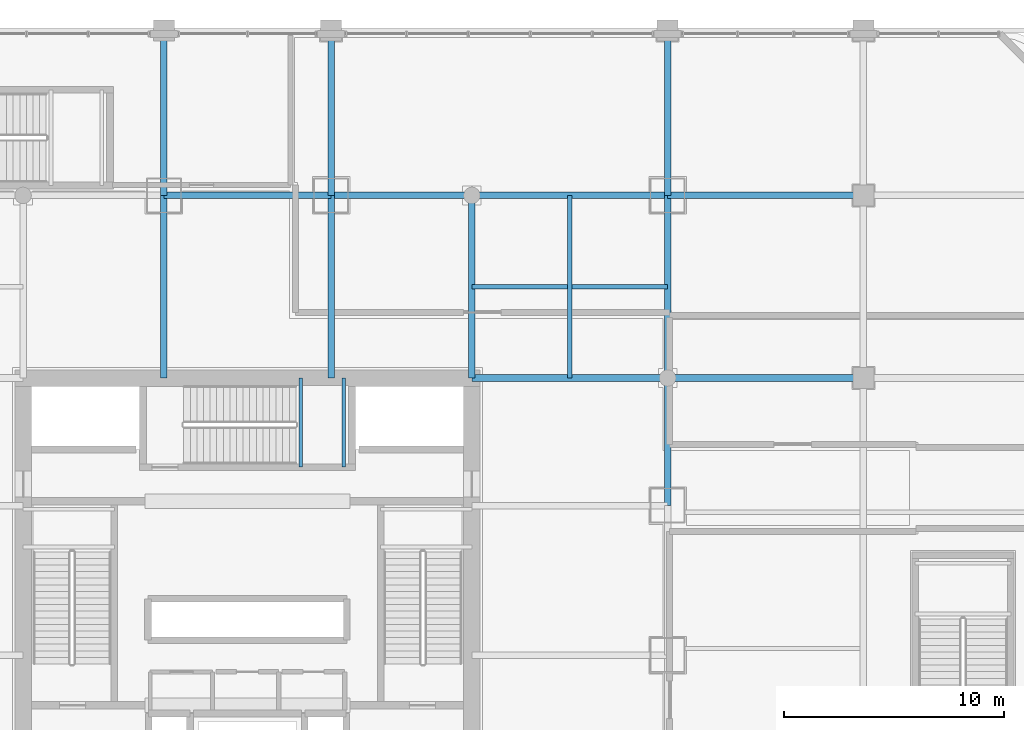
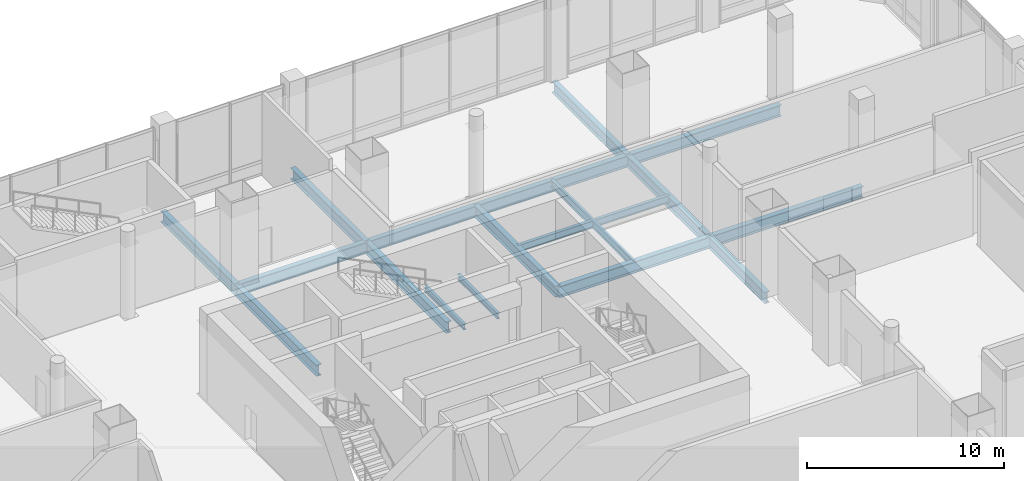
# One storey, part 15 of 39: 16 beams.
"""IFC4 building model written with IfcOpenShell, lengths in metres."""

from ifc_helpers import new_model, si_unit, direction, frame, origin, origin_2d, place, context, subcontext, project, spatial, i_section, extrude, material, material_profile, profile_set, type_object, element, save


model = new_model("IFC4")

# Units and contexts
model_context = context("Model", 3, precision=1e-05, world=origin(), true_north=direction((0.0, 1.0)))
body_context = subcontext(model_context, "Body", "Model", "MODEL_VIEW")
ifc_project = project(units=[si_unit("LENGTHUNIT", "METRE"), si_unit("AREAUNIT", "SQUARE_METRE"), si_unit("VOLUMEUNIT", "CUBIC_METRE"), si_unit("PLANEANGLEUNIT", "RADIAN"), si_unit("MASSUNIT", "GRAM", prefix="KILO")], contexts=[model_context])

# Site, building, storey
site_placement = place(None, origin())
site = spatial("IfcSite", under=ifc_project, at=site_placement, CompositionType="ELEMENT")
building_placement = place(site_placement, origin())
building = spatial("IfcBuilding", under=site, at=building_placement, Name="Punatoya Terracotta Tower", CompositionType="ELEMENT")
storey_placement = place(building_placement, frame((0.0, 0.0, 11.39990234375)))
storey = spatial("IfcBuildingStorey", under=building, at=storey_placement, Name="L02", CompositionType="ELEMENT", Elevation=11.39990234375)

# Beams
ifc_material = material(Name="Steel S355", Category="steel")
ifc_material_profile_1 = material_profile(ifc_material, i_section(OverallWidth=0.300048828125, OverallDepth=0.699951171875, WebThickness=0.01708984375, FlangeThickness=0.031982421875, FilletRadius=0.01806640625, at=origin_2d()))
ifc_profile_set_1 = profile_set([ifc_material_profile_1], Name="Steel S355")
beam_type_1 = type_object("IfcBeamType", Name="BM-PRI-700", PredefinedType="BEAM", material=ifc_profile_set_1)
beam_1_placement = place(storey_placement, frame((-3.800048828125, 17.5, -0.6298828125), z_axis=(1.0, 0.0, 0.0), x_axis=(0.0, 1.0, 0.0)))
element("IfcBeam", 1, at=beam_1_placement, inside=storey, type_object=beam_type_1, Name="BM-L02-RG-N2", PredefinedType="BEAM", context=body_context, shape_type="SweptSolid", body=[
    extrude(i_section(OverallWidth=0.300048828125, OverallDepth=0.699951171875, WebThickness=0.01708984375, FlangeThickness=0.031982421875, FilletRadius=0.01806640625, at=origin_2d()), origin(), (0.0, 0.0, 1.0), 7.60009765625),
])
beam_2_placement = place(storey_placement, frame((3.800048828125, 17.5, -0.6298828125), z_axis=(1.0, 0.0, 0.0), x_axis=(0.0, 1.0, 0.0)))
element("IfcBeam", 2, at=beam_2_placement, inside=storey, type_object=beam_type_1, Name="BM-L02-RG-N3", PredefinedType="BEAM", context=body_context, shape_type="SweptSolid", body=[
    extrude(i_section(OverallWidth=0.300048828125, OverallDepth=0.699951171875, WebThickness=0.01708984375, FlangeThickness=0.031982421875, FilletRadius=0.01806640625, at=origin_2d()), origin(), (0.0, 0.0, 1.0), 15.300048828125),
])
beam_3_placement = place(storey_placement, frame((19.10009765625, 3.39990234375, -0.6298828125), z_axis=(0.0, 1.0, 0.0), x_axis=(-1.0, 0.0, 0.0)))
element("IfcBeam", 3, at=beam_3_placement, inside=storey, type_object=beam_type_1, Name="BM-L02-RG-E3", PredefinedType="BEAM", context=body_context, shape_type="SweptSolid", body=[
    extrude(i_section(OverallWidth=0.300048828125, OverallDepth=0.699951171875, WebThickness=0.01708984375, FlangeThickness=0.031982421875, FilletRadius=0.01806640625, at=origin_2d()), origin(), (0.0, 0.0, 1.0), 14.10009765625),
])
beam_4_placement = place(storey_placement, frame((10.199951171875, 9.199951171875, -0.6298828125), z_axis=(1.0, 0.0, 0.0), x_axis=(0.0, 1.0, 0.0)))
element("IfcBeam", 4, at=beam_4_placement, inside=storey, type_object=beam_type_1, Name="BM-L02-PR-EN", PredefinedType="BEAM", context=body_context, shape_type="SweptSolid", body=[
    extrude(i_section(OverallWidth=0.300048828125, OverallDepth=0.699951171875, WebThickness=0.01708984375, FlangeThickness=0.031982421875, FilletRadius=0.01806640625, at=origin_2d()), origin(), (0.0, 0.0, 1.0), 8.900146484375),
])
for number, where, z_axis, x_axis, name in (
    (5, (-3.800048828125, 9.199951171875, -0.6298828125), (0.0, 1.0, 0.0), (-1.0, 0.0, 0.0), "BM-L02-PR-N2"),
    (6, (3.800048828125, 9.199951171875, -0.6298828125), (0.0, 1.0, 0.0), (-1.0, 0.0, 0.0), "BM-L02-PR-N3"),
    (7, (10.199951171875, 9.199951171875, -0.6298828125), (0.0, 1.0, 0.0), (-1.0, 0.0, 0.0), "BM-L02-PR-N4"),
):
    element("IfcBeam", number, at=place(storey_placement, frame(where, z_axis=z_axis, x_axis=x_axis)), inside=storey, type_object=beam_type_1, Name=name, PredefinedType="BEAM", context=body_context, shape_type="SweptSolid", body=[
        extrude(i_section(OverallWidth=0.300048828125, OverallDepth=0.699951171875, WebThickness=0.01708984375, FlangeThickness=0.031982421875, FilletRadius=0.01806640625, at=origin_2d()), origin(), (0.0, 0.0, 1.0), 8.300048828125),
    ])
for number, where, z_axis, x_axis, name in (
    (8, (19.10009765625, 9.199951171875, -0.6298828125), (1.0, 0.0, 0.0), (0.0, 1.0, 0.0), "BM-L02-FE1"),
    (9, (19.10009765625, 17.5, -0.6298828125), (1.0, 0.0, 0.0), (0.0, 1.0, 0.0), "BM-L02-GE1"),
):
    element("IfcBeam", number, at=place(storey_placement, frame(where, z_axis=z_axis, x_axis=x_axis)), inside=storey, type_object=beam_type_1, Name=name, PredefinedType="BEAM", context=body_context, shape_type="SweptSolid", body=[
        extrude(i_section(OverallWidth=0.300048828125, OverallDepth=0.699951171875, WebThickness=0.01708984375, FlangeThickness=0.031982421875, FilletRadius=0.01806640625, at=origin_2d()), origin(), (0.0, 0.0, 1.0), 8.89990234375),
    ])
for number, where, z_axis, x_axis, name in (
    (10, (19.10009765625, 17.5, -0.6298828125), (0.0, 1.0, 0.0), (-1.0, 0.0, 0.0), "BM-L02-M19E-17"),
    (11, (-3.800048828125, 17.5, -0.6298828125), (0.0, 1.0, 0.0), (-1.0, 0.0, 0.0), "BM-L02-NS-3-N"),
    (12, (3.800048828125, 17.5, -0.6298828125), (0.0, 1.0, 0.0), (-1.0, 0.0, 0.0), "BM-L02-NS3-N"),
):
    element("IfcBeam", number, at=place(storey_placement, frame(where, z_axis=z_axis, x_axis=x_axis)), inside=storey, type_object=beam_type_1, Name=name, PredefinedType="BEAM", context=body_context, shape_type="SweptSolid", body=[
        extrude(i_section(OverallWidth=0.300048828125, OverallDepth=0.699951171875, WebThickness=0.01708984375, FlangeThickness=0.031982421875, FilletRadius=0.01806640625, at=origin_2d()), origin(), (0.0, 0.0, 1.0), 7.5),
    ])
ifc_material_profile_2 = material_profile(ifc_material, i_section(OverallWidth=0.169921875, OverallDepth=0.360107421875, WebThickness=0.008056640625, FlangeThickness=0.0126953125, FilletRadius=0.01806640625, at=origin_2d()))
ifc_profile_set_2 = profile_set([ifc_material_profile_2], Name="Steel S355")
beam_type_2 = type_object("IfcBeamType", Name="BM-SEC-360", PredefinedType="JOIST", material=ifc_profile_set_2)
for number, where, z_axis, x_axis, name in (
    (13, (2.419921875, 5.14990234375, 2.320068359375), (0.0, 1.0, 0.0), (-1.0, 0.0, 0.0), "BM-L02-ST-3-LD1A"),
    (14, (4.3798828125, 5.14990234375, 2.320068359375), (0.0, 1.0, 0.0), (-1.0, 0.0, 0.0), "BM-L02-ST-3-LD1B"),
):
    element("IfcBeam", number, at=place(storey_placement, frame(where, z_axis=z_axis, x_axis=x_axis)), inside=storey, type_object=beam_type_2, Name=name, PredefinedType="JOIST", context=body_context, shape_type="SweptSolid", body=[
        extrude(i_section(OverallWidth=0.169921875, OverallDepth=0.360107421875, WebThickness=0.008056640625, FlangeThickness=0.0126953125, FilletRadius=0.01806640625, at=origin_2d()), origin(), (0.0, 0.0, 1.0), 4.050048828125),
    ])
ifc_material_profile_3 = material_profile(ifc_material, i_section(OverallWidth=0.18994140625, OverallDepth=0.449951171875, WebThickness=0.009521484375, FlangeThickness=0.0146484375, FilletRadius=0.01806640625, at=origin_2d()))
ifc_profile_set_3 = profile_set([ifc_material_profile_3], Name="Steel S355")
beam_type_3 = type_object("IfcBeamType", Name="BM-SEC-450", PredefinedType="JOIST", material=ifc_profile_set_3)
beam_5_placement = place(storey_placement, frame((10.199951171875, 13.35009765625, -0.5048828125), z_axis=(1.0, 0.0, 0.0), x_axis=(0.0, 1.0, 0.0)))
element("IfcBeam", 15, at=beam_5_placement, inside=storey, type_object=beam_type_3, Name="BM-L02-SJN-2", PredefinedType="JOIST", context=body_context, shape_type="SweptSolid", body=[
    extrude(i_section(OverallWidth=0.18994140625, OverallDepth=0.449951171875, WebThickness=0.009521484375, FlangeThickness=0.0146484375, FilletRadius=0.01806640625, at=origin_2d()), origin(), (0.0, 0.0, 1.0), 8.900146484375),
])
beam_6_placement = place(storey_placement, frame((14.64990234375, 9.199951171875, -0.5048828125), z_axis=(0.0, 1.0, 0.0), x_axis=(-1.0, 0.0, 0.0)))
element("IfcBeam", 16, at=beam_6_placement, inside=storey, type_object=beam_type_3, Name="BM-L02-SJE-2", PredefinedType="JOIST", context=body_context, shape_type="SweptSolid", body=[
    extrude(i_section(OverallWidth=0.18994140625, OverallDepth=0.449951171875, WebThickness=0.009521484375, FlangeThickness=0.0146484375, FilletRadius=0.01806640625, at=origin_2d()), origin(), (0.0, 0.0, 1.0), 8.300048828125),
])

save(model, "model.ifc")
